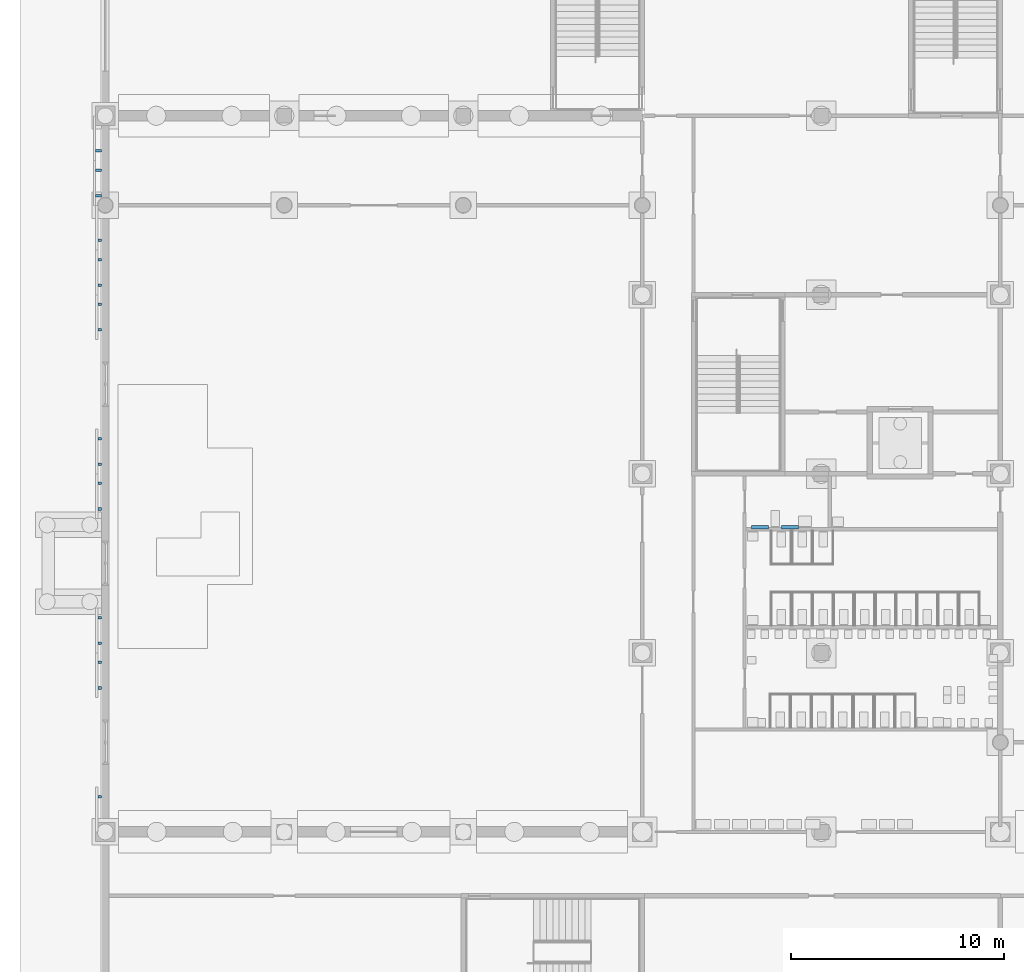
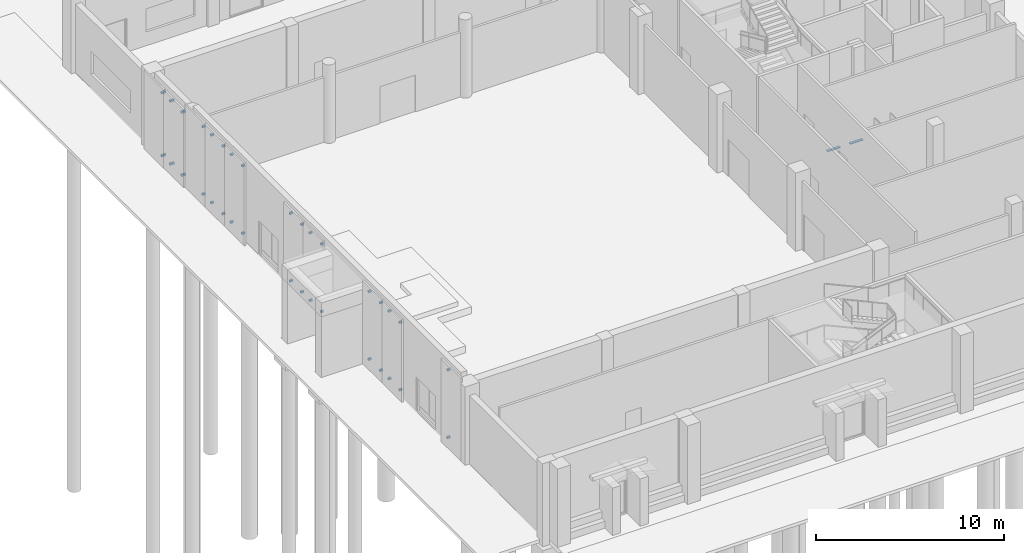
# One storey, part 45 of 74: 36 discrete accessories.
"""IFC4 building model written with IfcOpenShell, lengths in metres."""

from ifc_helpers import new_model, si_unit, direction, frame, origin, origin_2d, place, context, subcontext, project, spatial, rectangle, extrude, material, type_object, element, save


model = new_model("IFC4")

# Units and contexts
model_context = context("Model", 3, precision=1e-05, world=origin(), true_north=direction((0.0, 1.0)))
body_context = subcontext(model_context, "Body", "Model", "MODEL_VIEW")
ifc_project = project(units=[si_unit("LENGTHUNIT", "METRE"), si_unit("AREAUNIT", "SQUARE_METRE"), si_unit("VOLUMEUNIT", "CUBIC_METRE"), si_unit("PLANEANGLEUNIT", "RADIAN"), si_unit("MASSUNIT", "GRAM", prefix="KILO")], contexts=[model_context])

# Site, building, storey
site_placement = place(None, origin())
site = spatial("IfcSite", under=ifc_project, at=site_placement, CompositionType="ELEMENT")
building_placement = place(site_placement, origin())
building = spatial("IfcBuilding", under=site, at=building_placement, Name="Rulbaag Community and Learning Centre", CompositionType="ELEMENT")
storey_placement = place(building_placement, origin())
storey = spatial("IfcBuildingStorey", under=building, at=storey_placement, Name="L00", CompositionType="ELEMENT", Elevation=0.0)

# Discrete accessories
ifc_material_1 = material(Name="Steel E350", Category="steel")
discrete_accessory_type_1 = type_object("IfcDiscreteAccessoryType", Name="BR-JS", PredefinedType="BRACKET", material=ifc_material_1)
for number, where, z_axis, x_axis, name in (
    (1, (-0.262451171875, 10.050048828125, 0.43994140625), (0.0, 0.0, 1.0), (1.0, 0.0, 0.0), "Screen bracket"),
    (2, (-0.262451171875, 10.050048828125, 4.83984375), (0.0, 0.0, 1.0), (1.0, 0.0, 0.0), "Screen bracket"),
    (3, (-0.262451171875, 15.14990234375, 0.43994140625), (0.0, 0.0, 1.0), (1.0, 0.0, 0.0), "Screen bracket"),
    (4, (-0.262451171875, 15.14990234375, 4.83984375), (0.0, 0.0, 1.0), (1.0, 0.0, 0.0), "Screen bracket"),
    (5, (-0.262451171875, 16.35009765625, 0.43994140625), (0.0, 0.0, 1.0), (1.0, 0.0, 0.0), "Screen bracket"),
    (6, (-0.262451171875, 16.35009765625, 4.83984375), (0.0, 0.0, 1.0), (1.0, 0.0, 0.0), "Screen bracket"),
    (7, (-0.262451171875, 17.25, 0.43994140625), (0.0, 0.0, 1.0), (1.0, 0.0, 0.0), "Screen bracket"),
    (8, (-0.262451171875, 17.25, 4.83984375), (0.0, 0.0, 1.0), (1.0, 0.0, 0.0), "Screen bracket"),
    (9, (-0.262451171875, 18.449951171875, 0.43994140625), (0.0, 0.0, 1.0), (1.0, 0.0, 0.0), "Screen bracket"),
    (10, (-0.262451171875, 18.449951171875, 4.83984375), (0.0, 0.0, 1.0), (1.0, 0.0, 0.0), "Screen bracket"),
    (11, (-0.262451171875, 23.550048828125, 0.43994140625), (0.0, 0.0, 1.0), (1.0, 0.0, 0.0), "Screen bracket"),
    (12, (-0.262451171875, 23.550048828125, 4.83984375), (0.0, 0.0, 1.0), (1.0, 0.0, 0.0), "Screen bracket"),
    (13, (-0.262451171875, 24.75, 0.43994140625), (0.0, 0.0, 1.0), (1.0, 0.0, 0.0), "Screen bracket"),
    (14, (-0.262451171875, 24.75, 4.83984375), (0.0, 0.0, 1.0), (1.0, 0.0, 0.0), "Screen bracket"),
    (15, (-0.262451171875, 25.64990234375, 0.43994140625), (0.0, 0.0, 1.0), (1.0, 0.0, 0.0), "Screen bracket"),
    (16, (-0.262451171875, 25.64990234375, 4.83984375), (0.0, 0.0, 1.0), (1.0, 0.0, 0.0), "Screen bracket"),
    (17, (-0.262451171875, 26.85009765625, 0.43994140625), (0.0, 0.0, 1.0), (1.0, 0.0, 0.0), "Screen bracket"),
    (18, (-0.262451171875, 26.85009765625, 4.83984375), (0.0, 0.0, 1.0), (1.0, 0.0, 0.0), "Screen bracket"),
    (19, (-0.262451171875, 31.949951171875, 0.43994140625), (0.0, 0.0, 1.0), (1.0, 0.0, 0.0), "Screen bracket"),
    (20, (-0.262451171875, 31.949951171875, 4.83984375), (0.0, 0.0, 1.0), (1.0, 0.0, 0.0), "Screen bracket"),
    (21, (-0.262451171875, 33.14990234375, 0.43994140625), (0.0, 0.0, 1.0), (1.0, 0.0, 0.0), "Screen bracket"),
    (22, (-0.262451171875, 33.14990234375, 4.83984375), (0.0, 0.0, 1.0), (1.0, 0.0, 0.0), "Screen bracket"),
    (23, (-0.262451171875, 34.050048828125, 0.43994140625), (0.0, 0.0, 1.0), (1.0, 0.0, 0.0), "Screen bracket"),
    (24, (-0.262451171875, 34.050048828125, 4.83984375), (0.0, 0.0, 1.0), (1.0, 0.0, 0.0), "Screen bracket"),
    (25, (-0.262451171875, 35.25, 0.43994140625), (0.0, 0.0, 1.0), (1.0, 0.0, 0.0), "Screen bracket"),
    (26, (-0.262451171875, 35.25, 4.83984375), (0.0, 0.0, 1.0), (1.0, 0.0, 0.0), "Screen bracket"),
    (27, (-0.262451171875, 36.14990234375, 0.43994140625), (0.0, 0.0, 1.0), (1.0, 0.0, 0.0), "Screen bracket"),
    (28, (-0.262451171875, 36.14990234375, 4.83984375), (0.0, 0.0, 1.0), (1.0, 0.0, 0.0), "Screen bracket"),
):
    element("IfcDiscreteAccessory", number, at=place(storey_placement, frame(where, z_axis=z_axis, x_axis=x_axis)), inside=storey, type_object=discrete_accessory_type_1, Name=name, PredefinedType="BRACKET", context=body_context, shape_type="SweptSolid", body=[
        extrude(rectangle(XDim=0.175048828125, YDim=0.1201171875, at=origin_2d()), origin(), (0.0, 0.0, 1.0), 0.1201171875),
    ])
for number, where, z_axis, x_axis, name in (
    (29, (-0.3125, 38.25, 0.43994140625), (0.0, 0.0, 1.0), (1.0, 0.0, 0.0), "Screen bracket"),
    (30, (-0.3125, 38.25, 4.5400390625), (0.0, 0.0, 1.0), (1.0, 0.0, 0.0), "Screen bracket"),
    (31, (-0.3125, 39.449951171875, 0.43994140625), (0.0, 0.0, 1.0), (1.0, 0.0, 0.0), "Screen bracket"),
    (32, (-0.3125, 39.449951171875, 4.5400390625), (0.0, 0.0, 1.0), (1.0, 0.0, 0.0), "Screen bracket"),
    (33, (-0.3125, 40.35009765625, 0.43994140625), (0.0, 0.0, 1.0), (1.0, 0.0, 0.0), "Screen bracket"),
    (34, (-0.3125, 40.35009765625, 4.5400390625), (0.0, 0.0, 1.0), (1.0, 0.0, 0.0), "Screen bracket"),
):
    element("IfcDiscreteAccessory", number, at=place(storey_placement, frame(where, z_axis=z_axis, x_axis=x_axis)), inside=storey, type_object=discrete_accessory_type_1, Name=name, PredefinedType="BRACKET", context=body_context, shape_type="SweptSolid", body=[
        extrude(rectangle(XDim=0.27490234375, YDim=0.1201171875, at=origin_2d()), origin(), (0.0, 0.0, 1.0), 0.1201171875),
    ])
ifc_material_2 = material(Name="Stainless steel grade 316", Category="steel")
discrete_accessory_type_2 = type_object("IfcDiscreteAccessoryType", Name="GR-800", PredefinedType="USERDEFINED", material=ifc_material_2)
for number, where, z_axis, x_axis, name in (
    (35, (30.72998046875, 22.68505859375, 0.72998046875), (0.0, 0.0, 1.0), (1.0, 0.0, 0.0), "Grab rail"),
    (36, (32.1298828125, 22.68505859375, 0.72998046875), (0.0, 0.0, 1.0), (1.0, 0.0, 0.0), "Grab rail"),
):
    element("IfcDiscreteAccessory", number, at=place(storey_placement, frame(where, z_axis=z_axis, x_axis=x_axis)), inside=storey, type_object=discrete_accessory_type_2, Name=name, ObjectType="GRAB RAIL", PredefinedType="USERDEFINED", context=body_context, shape_type="SweptSolid", body=[
        extrude(rectangle(XDim=0.800048828125, YDim=0.169921875, at=origin_2d()), origin(), (0.0, 0.0, 1.0), 0.0400390625),
    ])

save(model, "model.ifc")
